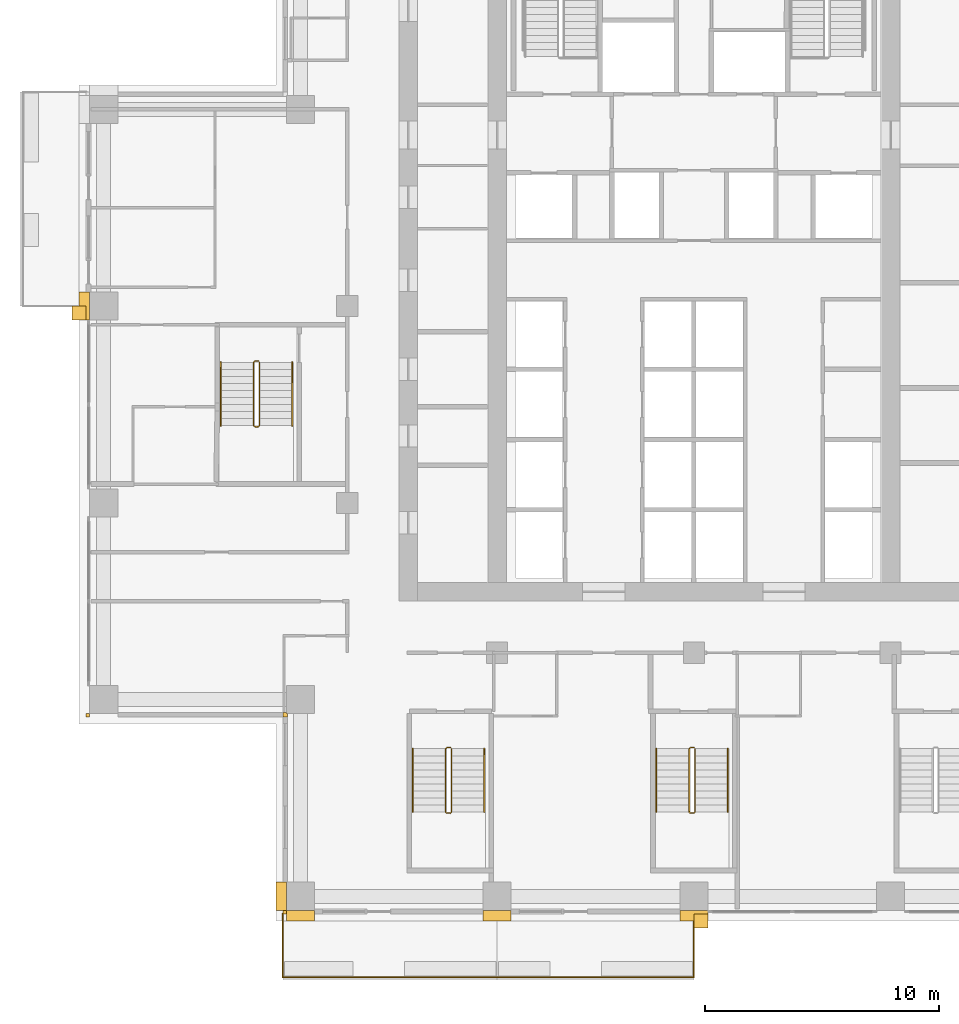
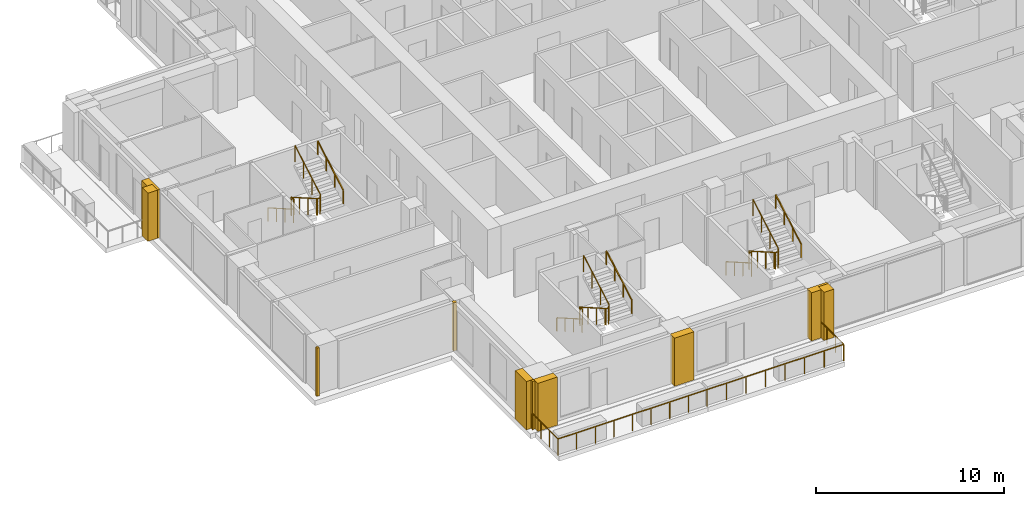
# One storey, part 13 of 16: 11 railings, 10 coverings.
"""IFC4 building model written with IfcOpenShell, lengths in metres."""

from ifc_helpers import new_model, si_unit, direction, frame, origin, origin_2d, place, context, subcontext, project, spatial, polyline, rectangle, outline, extrude, material, type_object, element, save


model = new_model("IFC4")

# Units and contexts
model_context = context("Model", 3, precision=1e-05, world=origin(), true_north=direction((0.0, 1.0)))
body_context = subcontext(model_context, "Body", "Model", "MODEL_VIEW")
ifc_project = project(units=[si_unit("LENGTHUNIT", "METRE"), si_unit("AREAUNIT", "SQUARE_METRE"), si_unit("VOLUMEUNIT", "CUBIC_METRE"), si_unit("PLANEANGLEUNIT", "RADIAN"), si_unit("MASSUNIT", "GRAM", prefix="KILO")], contexts=[model_context])

# Site, building, storey
site_placement = place(None, origin())
site = spatial("IfcSite", under=ifc_project, at=site_placement, CompositionType="ELEMENT")
building_placement = place(site_placement, origin())
building = spatial("IfcBuilding", under=site, at=building_placement, Name="Vermilion Ogive Tower", CompositionType="ELEMENT")
storey_placement = place(building_placement, frame((0.0, 0.0, 114.89990234375)))
storey = spatial("IfcBuildingStorey", under=building, at=storey_placement, Name="L29", CompositionType="ELEMENT", Elevation=114.89990234375)

# Railings
ifc_material_1 = material(Name="Stainless steel and glass", Category="steel")
railing_type_1 = type_object("IfcRailingType", Name="Balcony guard", PredefinedType="GUARDRAIL", material=ifc_material_1)
railing_1_placement = place(storey_placement, frame((-17.550048828125, -21.75, -0.039794921875)))
element("IfcRailing", 1, at=railing_1_placement, inside=storey, type_object=railing_type_1, Name="Guard S01", PredefinedType="GUARDRAIL", context=body_context, shape_type="SweptSolid", body=[
    extrude(rectangle(XDim=0.048095703125, YDim=0.048095703125, at=origin_2d()), frame((0.0, 0.0, 1.076171875), z_axis=(0.0, -1.0, 0.0), x_axis=(1.0, 0.0, 0.0)), (0.0, 0.0, 1.0), 2.7041015625),
    extrude(rectangle(XDim=0.048095703125, YDim=0.048095703125, at=origin_2d()), frame((0.0, -2.7041015625, 1.076171875), z_axis=(1.0, 0.0, 0.0), x_axis=(0.0, 1.0, 0.0)), (0.0, 0.0, 1.0), 9.150146484375),
    extrude(rectangle(XDim=0.0419921875, YDim=0.0419921875, at=origin_2d()), origin(), (0.0, 0.0, 1.0), 1.052001953125),
    extrude(rectangle(XDim=0.0419921875, YDim=0.0419921875, at=origin_2d()), frame((0.0, -0.9013671875, 0.0)), (0.0, 0.0, 1.0), 1.052001953125),
    extrude(rectangle(XDim=0.0419921875, YDim=0.0419921875, at=origin_2d()), frame((0.0, -1.802734375, 0.0)), (0.0, 0.0, 1.0), 1.052001953125),
    extrude(rectangle(XDim=0.0419921875, YDim=0.0419921875, at=origin_2d()), frame((0.0, -2.7041015625, 0.0)), (0.0, 0.0, 1.0), 1.052001953125),
    extrude(rectangle(XDim=0.0419921875, YDim=0.0419921875, at=origin_2d()), frame((1.143798828125, -2.7041015625, 0.0)), (0.0, 0.0, 1.0), 1.052001953125),
    extrude(rectangle(XDim=0.0419921875, YDim=0.0419921875, at=origin_2d()), frame((2.28759765625, -2.7041015625, 0.0)), (0.0, 0.0, 1.0), 1.052001953125),
    extrude(rectangle(XDim=0.0419921875, YDim=0.0419921875, at=origin_2d()), frame((3.431396484375, -2.7041015625, 0.0)), (0.0, 0.0, 1.0), 1.052001953125),
    extrude(rectangle(XDim=0.0419921875, YDim=0.0419921875, at=origin_2d()), frame((4.5751953125, -2.7041015625, 0.0)), (0.0, 0.0, 1.0), 1.052001953125),
    extrude(rectangle(XDim=0.0419921875, YDim=0.0419921875, at=origin_2d()), frame((5.71875, -2.7041015625, 0.0)), (0.0, 0.0, 1.0), 1.052001953125),
    extrude(rectangle(XDim=0.0419921875, YDim=0.0419921875, at=origin_2d()), frame((6.862548828125, -2.7041015625, 0.0)), (0.0, 0.0, 1.0), 1.052001953125),
    extrude(rectangle(XDim=0.0419921875, YDim=0.0419921875, at=origin_2d()), frame((8.00634765625, -2.7041015625, 0.0)), (0.0, 0.0, 1.0), 1.052001953125),
    extrude(rectangle(XDim=0.0419921875, YDim=0.0419921875, at=origin_2d()), frame((9.150146484375, -2.7041015625, 0.0)), (0.0, 0.0, 1.0), 1.052001953125),
])
railing_2_placement = place(storey_placement, frame((-8.39990234375, -24.4541015625, -0.039794921875)))
element("IfcRailing", 2, at=railing_2_placement, inside=storey, type_object=railing_type_1, Name="Guard S02", PredefinedType="GUARDRAIL", context=body_context, shape_type="SweptSolid", body=[
    extrude(rectangle(XDim=0.048095703125, YDim=0.048095703125, at=origin_2d()), frame((0.0, 0.0, 1.076171875), z_axis=(1.0, 0.0, 0.0), x_axis=(0.0, 1.0, 0.0)), (0.0, 0.0, 1.0), 8.39990234375),
    extrude(rectangle(XDim=0.048095703125, YDim=0.048095703125, at=origin_2d()), frame((8.39990234375, 0.0, 1.076171875), z_axis=(0.0, 1.0, 0.0), x_axis=(-1.0, 0.0, 0.0)), (0.0, 0.0, 1.0), 2.7041015625),
    extrude(rectangle(XDim=0.0419921875, YDim=0.0419921875, at=origin_2d()), origin(), (0.0, 0.0, 1.0), 1.052001953125),
    extrude(rectangle(XDim=0.0419921875, YDim=0.0419921875, at=origin_2d()), frame((1.199951171875, 0.0, 0.0)), (0.0, 0.0, 1.0), 1.052001953125),
    extrude(rectangle(XDim=0.0419921875, YDim=0.0419921875, at=origin_2d()), frame((2.39990234375, 0.0, 0.0)), (0.0, 0.0, 1.0), 1.052001953125),
    extrude(rectangle(XDim=0.0419921875, YDim=0.0419921875, at=origin_2d()), frame((3.599853515625, 0.0, 0.0)), (0.0, 0.0, 1.0), 1.052001953125),
    extrude(rectangle(XDim=0.0419921875, YDim=0.0419921875, at=origin_2d()), frame((4.800048828125, 0.0, 0.0)), (0.0, 0.0, 1.0), 1.052001953125),
    extrude(rectangle(XDim=0.0419921875, YDim=0.0419921875, at=origin_2d()), frame((6.0, 0.0, 0.0)), (0.0, 0.0, 1.0), 1.052001953125),
    extrude(rectangle(XDim=0.0419921875, YDim=0.0419921875, at=origin_2d()), frame((7.199951171875, 0.0, 0.0)), (0.0, 0.0, 1.0), 1.052001953125),
    extrude(rectangle(XDim=0.0419921875, YDim=0.0419921875, at=origin_2d()), frame((8.39990234375, 0.0, 0.0)), (0.0, 0.0, 1.0), 1.052001953125),
    extrude(rectangle(XDim=0.0419921875, YDim=0.0419921875, at=origin_2d()), frame((8.39990234375, 0.9013671875, 0.0)), (0.0, 0.0, 1.0), 1.052001953125),
    extrude(rectangle(XDim=0.0419921875, YDim=0.0419921875, at=origin_2d()), frame((8.39990234375, 1.802734375, 0.0)), (0.0, 0.0, 1.0), 1.052001953125),
    extrude(rectangle(XDim=0.0419921875, YDim=0.0419921875, at=origin_2d()), frame((8.39990234375, 2.7041015625, 0.0)), (0.0, 0.0, 1.0), 1.052001953125),
])
ifc_material_2 = material(Name="Steel S355 painted", Category="steel")
railing_type_2 = type_object("IfcRailingType", Name="Stair guard 1100", PredefinedType="GUARDRAIL", material=ifc_material_2)
railing_3_placement = place(storey_placement, frame((-10.39990234375, -14.64990234375, 0.0)))
element("IfcRailing", 3, at=railing_3_placement, inside=storey, type_object=railing_type_2, Name="L29 ST3 stair guard 4", PredefinedType="GUARDRAIL", context=body_context, shape_type="SweptSolid", body=[
    extrude(rectangle(XDim=0.048095703125, YDim=0.048095703125, at=origin_2d()), frame((0.0, 0.0, 1.076171875), z_axis=(-1.0, 0.0, 0.0), x_axis=(0.0, -1.0, 0.0)), (0.0, 0.0, 1.0), 0.150146484375),
    extrude(rectangle(XDim=0.048095703125, YDim=0.048095703125, at=origin_2d()), frame((-0.150146484375, 0.0, 1.076171875), z_axis=(-0.268277960024, -0.268277960024, 0.925231793839), x_axis=(0.707106781187, -0.707106781187, 0.0)), (0.0, 0.0, 1.0), 0.1865234375),
    extrude(rectangle(XDim=0.048095703125, YDim=0.048095703125, at=origin_2d()), frame((-0.2001953125, -0.050048828125, 1.24853515625), z_axis=(0.0, -0.866903762492, 0.498475542607), x_axis=(1.0, 0.0, 0.0)), (0.0, 0.0, 1.0), 3.114501953125),
    extrude(rectangle(XDim=0.048095703125, YDim=0.048095703125, at=origin_2d()), frame((-0.2001953125, -2.75, 2.80126953125), z_axis=(0.707106781187, -0.707106781187, 0.0), x_axis=(0.707106781187, 0.707106781187, 0.0)), (0.0, 0.0, 1.0), 0.07080078125),
    extrude(rectangle(XDim=0.048095703125, YDim=0.048095703125, at=origin_2d()), frame((-0.150146484375, -2.800048828125, 2.80126953125), z_axis=(1.0, 0.0, 0.0), x_axis=(0.0, 1.0, 0.0)), (0.0, 0.0, 1.0), 0.150146484375),
    extrude(rectangle(XDim=0.048095703125, YDim=0.048095703125, at=origin_2d()), frame((0.0, -2.800048828125, 2.80126953125), z_axis=(0.267062837333, 0.268371968888, 0.925556009775), x_axis=(-0.708833529934, 0.705375805398, 0.0)), (0.0, 0.0, 1.0), 0.1865234375),
    extrude(rectangle(XDim=0.048095703125, YDim=0.048095703125, at=origin_2d()), frame((0.0498046875, -2.75, 2.9736328125), z_axis=(0.0, 0.866903762492, 0.498475542607), x_axis=(-1.0, 0.0, 0.0)), (0.0, 0.0, 1.0), 3.114501953125),
    extrude(rectangle(XDim=0.0419921875, YDim=0.0419921875, at=origin_2d()), origin(), (0.0, 0.0, 1.0), 1.052001953125),
    extrude(rectangle(XDim=0.0419921875, YDim=0.0419921875, at=origin_2d()), frame((-0.150146484375, 0.0, 0.0)), (0.0, 0.0, 1.0), 1.052001953125),
    extrude(rectangle(XDim=0.0419921875, YDim=0.0419921875, at=origin_2d()), frame((-0.2001953125, -0.050048828125, 0.172607421875)), (0.0, 0.0, 1.0), 1.052001953125),
    extrude(rectangle(XDim=0.0419921875, YDim=0.0419921875, at=origin_2d()), frame((-0.2001953125, -0.949951171875, 0.690185546875)), (0.0, 0.0, 1.0), 1.052001953125),
    extrude(rectangle(XDim=0.0419921875, YDim=0.0419921875, at=origin_2d()), frame((-0.2001953125, -1.85009765625, 1.20751953125)), (0.0, 0.0, 1.0), 1.052001953125),
    extrude(rectangle(XDim=0.0419921875, YDim=0.0419921875, at=origin_2d()), frame((-0.2001953125, -2.75, 1.72509765625)), (0.0, 0.0, 1.0), 1.052001953125),
    extrude(rectangle(XDim=0.0419921875, YDim=0.0419921875, at=origin_2d()), frame((-0.150146484375, -2.800048828125, 1.72509765625)), (0.0, 0.0, 1.0), 1.052001953125),
    extrude(rectangle(XDim=0.0419921875, YDim=0.0419921875, at=origin_2d()), frame((0.0, -2.800048828125, 1.72509765625)), (0.0, 0.0, 1.0), 1.052001953125),
    extrude(rectangle(XDim=0.0419921875, YDim=0.0419921875, at=origin_2d()), frame((0.0498046875, -2.75, 1.897705078125)), (0.0, 0.0, 1.0), 1.052001953125),
    extrude(rectangle(XDim=0.0419921875, YDim=0.0419921875, at=origin_2d()), frame((0.0498046875, -1.85009765625, 2.415283203125)), (0.0, 0.0, 1.0), 1.052001953125),
    extrude(rectangle(XDim=0.0419921875, YDim=0.0419921875, at=origin_2d()), frame((0.0498046875, -0.949951171875, 2.9326171875)), (0.0, 0.0, 1.0), 1.052001953125),
    extrude(rectangle(XDim=0.0419921875, YDim=0.0419921875, at=origin_2d()), frame((0.0498046875, -0.050048828125, 3.4501953125)), (0.0, 0.0, 1.0), 1.052001953125),
])
railing_4_placement = place(storey_placement, frame((0.0, -14.64990234375, 0.0)))
element("IfcRailing", 4, at=railing_4_placement, inside=storey, type_object=railing_type_2, Name="L29 ST4 stair guard 4", PredefinedType="GUARDRAIL", context=body_context, shape_type="SweptSolid", body=[
    extrude(rectangle(XDim=0.048095703125, YDim=0.048095703125, at=origin_2d()), frame((0.0, 0.0, 1.076171875), z_axis=(-1.0, 0.0, 0.0), x_axis=(0.0, -1.0, 0.0)), (0.0, 0.0, 1.0), 0.14990234375),
    extrude(rectangle(XDim=0.048095703125, YDim=0.048095703125, at=origin_2d()), frame((-0.14990234375, 0.0, 1.076171875), z_axis=(-0.268277960024, -0.268277960024, 0.925231793839), x_axis=(0.707106781187, -0.707106781187, 0.0)), (0.0, 0.0, 1.0), 0.1865234375),
    extrude(rectangle(XDim=0.048095703125, YDim=0.048095703125, at=origin_2d()), frame((-0.199951171875, -0.050048828125, 1.24853515625), z_axis=(0.0, -0.866903762492, 0.498475542607), x_axis=(1.0, 0.0, 0.0)), (0.0, 0.0, 1.0), 3.114501953125),
    extrude(rectangle(XDim=0.048095703125, YDim=0.048095703125, at=origin_2d()), frame((-0.199951171875, -2.75, 2.80126953125), z_axis=(0.707106781187, -0.707106781187, 0.0), x_axis=(0.707106781187, 0.707106781187, 0.0)), (0.0, 0.0, 1.0), 0.07080078125),
    extrude(rectangle(XDim=0.048095703125, YDim=0.048095703125, at=origin_2d()), frame((-0.14990234375, -2.800048828125, 2.80126953125), z_axis=(1.0, 0.0, 0.0), x_axis=(0.0, 1.0, 0.0)), (0.0, 0.0, 1.0), 0.14990234375),
    extrude(rectangle(XDim=0.048095703125, YDim=0.048095703125, at=origin_2d()), frame((0.0, -2.800048828125, 2.80126953125), z_axis=(0.268277960024, 0.268277960024, 0.925231793839), x_axis=(-0.707106781187, 0.707106781187, 0.0)), (0.0, 0.0, 1.0), 0.1865234375),
    extrude(rectangle(XDim=0.048095703125, YDim=0.048095703125, at=origin_2d()), frame((0.050048828125, -2.75, 2.9736328125), z_axis=(0.0, 0.866903762492, 0.498475542607), x_axis=(-1.0, 0.0, 0.0)), (0.0, 0.0, 1.0), 3.114501953125),
    extrude(rectangle(XDim=0.0419921875, YDim=0.0419921875, at=origin_2d()), origin(), (0.0, 0.0, 1.0), 1.052001953125),
    extrude(rectangle(XDim=0.0419921875, YDim=0.0419921875, at=origin_2d()), frame((-0.14990234375, 0.0, 0.0)), (0.0, 0.0, 1.0), 1.052001953125),
    extrude(rectangle(XDim=0.0419921875, YDim=0.0419921875, at=origin_2d()), frame((-0.199951171875, -0.050048828125, 0.172607421875)), (0.0, 0.0, 1.0), 1.052001953125),
    extrude(rectangle(XDim=0.0419921875, YDim=0.0419921875, at=origin_2d()), frame((-0.199951171875, -0.949951171875, 0.690185546875)), (0.0, 0.0, 1.0), 1.052001953125),
    extrude(rectangle(XDim=0.0419921875, YDim=0.0419921875, at=origin_2d()), frame((-0.199951171875, -1.85009765625, 1.20751953125)), (0.0, 0.0, 1.0), 1.052001953125),
    extrude(rectangle(XDim=0.0419921875, YDim=0.0419921875, at=origin_2d()), frame((-0.199951171875, -2.75, 1.72509765625)), (0.0, 0.0, 1.0), 1.052001953125),
    extrude(rectangle(XDim=0.0419921875, YDim=0.0419921875, at=origin_2d()), frame((-0.14990234375, -2.800048828125, 1.72509765625)), (0.0, 0.0, 1.0), 1.052001953125),
    extrude(rectangle(XDim=0.0419921875, YDim=0.0419921875, at=origin_2d()), frame((0.0, -2.800048828125, 1.72509765625)), (0.0, 0.0, 1.0), 1.052001953125),
    extrude(rectangle(XDim=0.0419921875, YDim=0.0419921875, at=origin_2d()), frame((0.050048828125, -2.75, 1.897705078125)), (0.0, 0.0, 1.0), 1.052001953125),
    extrude(rectangle(XDim=0.0419921875, YDim=0.0419921875, at=origin_2d()), frame((0.050048828125, -1.85009765625, 2.415283203125)), (0.0, 0.0, 1.0), 1.052001953125),
    extrude(rectangle(XDim=0.0419921875, YDim=0.0419921875, at=origin_2d()), frame((0.050048828125, -0.949951171875, 2.9326171875)), (0.0, 0.0, 1.0), 1.052001953125),
    extrude(rectangle(XDim=0.0419921875, YDim=0.0419921875, at=origin_2d()), frame((0.050048828125, -0.050048828125, 3.4501953125)), (0.0, 0.0, 1.0), 1.052001953125),
])
railing_5_placement = place(storey_placement, frame((-18.60009765625, 1.85009765625, 0.0)))
element("IfcRailing", 5, at=railing_5_placement, inside=storey, type_object=railing_type_2, Name="L29 ST9 stair guard 4", PredefinedType="GUARDRAIL", context=body_context, shape_type="SweptSolid", body=[
    extrude(rectangle(XDim=0.048095703125, YDim=0.048095703125, at=origin_2d()), frame((0.0, 0.0, 1.076171875), z_axis=(-1.0, 0.0, 0.0), x_axis=(0.0, -1.0, 0.0)), (0.0, 0.0, 1.0), 0.14990234375),
    extrude(rectangle(XDim=0.048095703125, YDim=0.048095703125, at=origin_2d()), frame((-0.14990234375, 0.0, 1.076171875), z_axis=(-0.268277960024, -0.268277960024, 0.925231793839), x_axis=(0.707106781187, -0.707106781187, 0.0)), (0.0, 0.0, 1.0), 0.1865234375),
    extrude(rectangle(XDim=0.048095703125, YDim=0.048095703125, at=origin_2d()), frame((-0.199951171875, -0.050048828125, 1.24853515625), z_axis=(0.0, -0.866903762492, 0.498475542607), x_axis=(1.0, 0.0, 0.0)), (0.0, 0.0, 1.0), 3.114501953125),
    extrude(rectangle(XDim=0.048095703125, YDim=0.048095703125, at=origin_2d()), frame((-0.199951171875, -2.75, 2.80126953125), z_axis=(0.707106781187, -0.707106781187, 0.0), x_axis=(0.707106781187, 0.707106781187, 0.0)), (0.0, 0.0, 1.0), 0.07080078125),
    extrude(rectangle(XDim=0.048095703125, YDim=0.048095703125, at=origin_2d()), frame((-0.14990234375, -2.800048828125, 2.80126953125), z_axis=(1.0, 0.0, 0.0), x_axis=(0.0, 1.0, 0.0)), (0.0, 0.0, 1.0), 0.14990234375),
    extrude(rectangle(XDim=0.048095703125, YDim=0.048095703125, at=origin_2d()), frame((0.0, -2.800048828125, 2.80126953125), z_axis=(0.268277960024, 0.268277960024, 0.925231793839), x_axis=(-0.707106781187, 0.707106781187, 0.0)), (0.0, 0.0, 1.0), 0.1865234375),
    extrude(rectangle(XDim=0.048095703125, YDim=0.048095703125, at=origin_2d()), frame((0.050048828125, -2.75, 2.9736328125), z_axis=(0.0, 0.866903762492, 0.498475542607), x_axis=(-1.0, 0.0, 0.0)), (0.0, 0.0, 1.0), 3.114501953125),
    extrude(rectangle(XDim=0.0419921875, YDim=0.0419921875, at=origin_2d()), origin(), (0.0, 0.0, 1.0), 1.052001953125),
    extrude(rectangle(XDim=0.0419921875, YDim=0.0419921875, at=origin_2d()), frame((-0.14990234375, 0.0, 0.0)), (0.0, 0.0, 1.0), 1.052001953125),
    extrude(rectangle(XDim=0.0419921875, YDim=0.0419921875, at=origin_2d()), frame((-0.199951171875, -0.050048828125, 0.172607421875)), (0.0, 0.0, 1.0), 1.052001953125),
    extrude(rectangle(XDim=0.0419921875, YDim=0.0419921875, at=origin_2d()), frame((-0.199951171875, -0.949951171875, 0.690185546875)), (0.0, 0.0, 1.0), 1.052001953125),
    extrude(rectangle(XDim=0.0419921875, YDim=0.0419921875, at=origin_2d()), frame((-0.199951171875, -1.85009765625, 1.20751953125)), (0.0, 0.0, 1.0), 1.052001953125),
    extrude(rectangle(XDim=0.0419921875, YDim=0.0419921875, at=origin_2d()), frame((-0.199951171875, -2.75, 1.72509765625)), (0.0, 0.0, 1.0), 1.052001953125),
    extrude(rectangle(XDim=0.0419921875, YDim=0.0419921875, at=origin_2d()), frame((-0.14990234375, -2.800048828125, 1.72509765625)), (0.0, 0.0, 1.0), 1.052001953125),
    extrude(rectangle(XDim=0.0419921875, YDim=0.0419921875, at=origin_2d()), frame((0.0, -2.800048828125, 1.72509765625)), (0.0, 0.0, 1.0), 1.052001953125),
    extrude(rectangle(XDim=0.0419921875, YDim=0.0419921875, at=origin_2d()), frame((0.050048828125, -2.75, 1.897705078125)), (0.0, 0.0, 1.0), 1.052001953125),
    extrude(rectangle(XDim=0.0419921875, YDim=0.0419921875, at=origin_2d()), frame((0.050048828125, -1.85009765625, 2.415283203125)), (0.0, 0.0, 1.0), 1.052001953125),
    extrude(rectangle(XDim=0.0419921875, YDim=0.0419921875, at=origin_2d()), frame((0.050048828125, -0.949951171875, 2.9326171875)), (0.0, 0.0, 1.0), 1.052001953125),
    extrude(rectangle(XDim=0.0419921875, YDim=0.0419921875, at=origin_2d()), frame((0.050048828125, -0.050048828125, 3.4501953125)), (0.0, 0.0, 1.0), 1.052001953125),
])
ifc_material_3 = material(Name="Stainless steel", Category="steel")
railing_type_3 = type_object("IfcRailingType", Name="Stair handrail 900", PredefinedType="HANDRAIL", material=ifc_material_3)
railing_6_placement = place(storey_placement, frame((-12.0, -14.699951171875, 0.172607421875)))
element("IfcRailing", 6, at=railing_6_placement, inside=storey, type_object=railing_type_3, Name="L29 ST3 stair handrail 1", PredefinedType="HANDRAIL", context=body_context, shape_type="SweptSolid", body=[
    extrude(rectangle(XDim=0.048095703125, YDim=0.048095703125, at=origin_2d()), frame((0.0, 0.0, 0.8759765625), z_axis=(0.0, -0.866903762492, 0.498475542607), x_axis=(1.0, 0.0, 0.0)), (0.0, 0.0, 1.0), 3.114501953125),
    extrude(rectangle(XDim=0.0419921875, YDim=0.0419921875, at=origin_2d()), origin(), (0.0, 0.0, 1.0), 0.851806640625),
    extrude(rectangle(XDim=0.0419921875, YDim=0.0419921875, at=origin_2d()), frame((0.0, -0.89990234375, 0.517578125)), (0.0, 0.0, 1.0), 0.851806640625),
    extrude(rectangle(XDim=0.0419921875, YDim=0.0419921875, at=origin_2d()), frame((0.0, -1.800048828125, 1.034912109375)), (0.0, 0.0, 1.0), 0.851806640625),
    extrude(rectangle(XDim=0.0419921875, YDim=0.0419921875, at=origin_2d()), frame((0.0, -2.699951171875, 1.552490234375)), (0.0, 0.0, 1.0), 0.851806640625),
])
railing_7_placement = place(storey_placement, frame((-8.949951171875, -17.39990234375, 1.897705078125)))
element("IfcRailing", 7, at=railing_7_placement, inside=storey, type_object=railing_type_3, Name="L29 ST3 stair handrail 2", PredefinedType="HANDRAIL", context=body_context, shape_type="SweptSolid", body=[
    extrude(rectangle(XDim=0.048095703125, YDim=0.048095703125, at=origin_2d()), frame((0.0, 0.0, 0.8759765625), z_axis=(0.0, 0.866903762492, 0.498475542607), x_axis=(-1.0, 0.0, 0.0)), (0.0, 0.0, 1.0), 3.114501953125),
    extrude(rectangle(XDim=0.0419921875, YDim=0.0419921875, at=origin_2d()), origin(), (0.0, 0.0, 1.0), 0.851806640625),
    extrude(rectangle(XDim=0.0419921875, YDim=0.0419921875, at=origin_2d()), frame((0.0, 0.89990234375, 0.517578125)), (0.0, 0.0, 1.0), 0.851806640625),
    extrude(rectangle(XDim=0.0419921875, YDim=0.0419921875, at=origin_2d()), frame((0.0, 1.800048828125, 1.034912109375)), (0.0, 0.0, 1.0), 0.851806640625),
    extrude(rectangle(XDim=0.0419921875, YDim=0.0419921875, at=origin_2d()), frame((0.0, 2.699951171875, 1.552490234375)), (0.0, 0.0, 1.0), 0.851806640625),
])
railing_8_placement = place(storey_placement, frame((-1.60009765625, -14.699951171875, 0.172607421875)))
element("IfcRailing", 8, at=railing_8_placement, inside=storey, type_object=railing_type_3, Name="L29 ST4 stair handrail 1", PredefinedType="HANDRAIL", context=body_context, shape_type="SweptSolid", body=[
    extrude(rectangle(XDim=0.048095703125, YDim=0.048095703125, at=origin_2d()), frame((0.0, 0.0, 0.8759765625), z_axis=(0.0, -0.866903762492, 0.498475542607), x_axis=(1.0, 0.0, 0.0)), (0.0, 0.0, 1.0), 3.114501953125),
    extrude(rectangle(XDim=0.0419921875, YDim=0.0419921875, at=origin_2d()), origin(), (0.0, 0.0, 1.0), 0.851806640625),
    extrude(rectangle(XDim=0.0419921875, YDim=0.0419921875, at=origin_2d()), frame((0.0, -0.89990234375, 0.517578125)), (0.0, 0.0, 1.0), 0.851806640625),
    extrude(rectangle(XDim=0.0419921875, YDim=0.0419921875, at=origin_2d()), frame((0.0, -1.800048828125, 1.034912109375)), (0.0, 0.0, 1.0), 0.851806640625),
    extrude(rectangle(XDim=0.0419921875, YDim=0.0419921875, at=origin_2d()), frame((0.0, -2.699951171875, 1.552490234375)), (0.0, 0.0, 1.0), 0.851806640625),
])
railing_9_placement = place(storey_placement, frame((1.449951171875, -17.39990234375, 1.897705078125)))
element("IfcRailing", 9, at=railing_9_placement, inside=storey, type_object=railing_type_3, Name="L29 ST4 stair handrail 2", PredefinedType="HANDRAIL", context=body_context, shape_type="SweptSolid", body=[
    extrude(rectangle(XDim=0.048095703125, YDim=0.048095703125, at=origin_2d()), frame((0.0, 0.0, 0.8759765625), z_axis=(0.0, 0.866903762492, 0.498475542607), x_axis=(-1.0, 0.0, 0.0)), (0.0, 0.0, 1.0), 3.114501953125),
    extrude(rectangle(XDim=0.0419921875, YDim=0.0419921875, at=origin_2d()), origin(), (0.0, 0.0, 1.0), 0.851806640625),
    extrude(rectangle(XDim=0.0419921875, YDim=0.0419921875, at=origin_2d()), frame((0.0, 0.89990234375, 0.517578125)), (0.0, 0.0, 1.0), 0.851806640625),
    extrude(rectangle(XDim=0.0419921875, YDim=0.0419921875, at=origin_2d()), frame((0.0, 1.800048828125, 1.034912109375)), (0.0, 0.0, 1.0), 0.851806640625),
    extrude(rectangle(XDim=0.0419921875, YDim=0.0419921875, at=origin_2d()), frame((0.0, 2.699951171875, 1.552490234375)), (0.0, 0.0, 1.0), 0.851806640625),
])
railing_10_placement = place(storey_placement, frame((-20.199951171875, 1.800048828125, 0.172607421875)))
element("IfcRailing", 10, at=railing_10_placement, inside=storey, type_object=railing_type_3, Name="L29 ST9 stair handrail 1", PredefinedType="HANDRAIL", context=body_context, shape_type="SweptSolid", body=[
    extrude(rectangle(XDim=0.048095703125, YDim=0.048095703125, at=origin_2d()), frame((0.0, 0.0, 0.8759765625), z_axis=(0.0, -0.866903762492, 0.498475542607), x_axis=(1.0, 0.0, 0.0)), (0.0, 0.0, 1.0), 3.114501953125),
    extrude(rectangle(XDim=0.0419921875, YDim=0.0419921875, at=origin_2d()), origin(), (0.0, 0.0, 1.0), 0.851806640625),
    extrude(rectangle(XDim=0.0419921875, YDim=0.0419921875, at=origin_2d()), frame((0.0, -0.89990234375, 0.517578125)), (0.0, 0.0, 1.0), 0.851806640625),
    extrude(rectangle(XDim=0.0419921875, YDim=0.0419921875, at=origin_2d()), frame((0.0, -1.800048828125, 1.034912109375)), (0.0, 0.0, 1.0), 0.851806640625),
    extrude(rectangle(XDim=0.0419921875, YDim=0.0419921875, at=origin_2d()), frame((0.0, -2.699951171875, 1.552490234375)), (0.0, 0.0, 1.0), 0.851806640625),
])
railing_11_placement = place(storey_placement, frame((-17.14990234375, -0.89990234375, 1.897705078125)))
element("IfcRailing", 11, at=railing_11_placement, inside=storey, type_object=railing_type_3, Name="L29 ST9 stair handrail 2", PredefinedType="HANDRAIL", context=body_context, shape_type="SweptSolid", body=[
    extrude(rectangle(XDim=0.048095703125, YDim=0.048095703125, at=origin_2d()), frame((0.0, 0.0, 0.8759765625), z_axis=(0.0, 0.866903762492, 0.498475542607), x_axis=(-1.0, 0.0, 0.0)), (0.0, 0.0, 1.0), 3.114501953125),
    extrude(rectangle(XDim=0.0419921875, YDim=0.0419921875, at=origin_2d()), origin(), (0.0, 0.0, 1.0), 0.851806640625),
    extrude(rectangle(XDim=0.0419921875, YDim=0.0419921875, at=origin_2d()), frame((0.0, 0.89990234375, 0.517578125)), (0.0, 0.0, 1.0), 0.851806640625),
    extrude(rectangle(XDim=0.0419921875, YDim=0.0419921875, at=origin_2d()), frame((0.0, 1.800048828125, 1.034912109375)), (0.0, 0.0, 1.0), 0.851806640625),
    extrude(rectangle(XDim=0.0419921875, YDim=0.0419921875, at=origin_2d()), frame((0.0, 2.699951171875, 1.552490234375)), (0.0, 0.0, 1.0), 0.851806640625),
])

# Coverings
ifc_material_4 = material(Name="Stone cladding", Category="masonry")
covering_type_1 = type_object("IfcCoveringType", Name="Stone corner buttress", PredefinedType="CLADDING", material=ifc_material_4)
covering_1_placement = place(storey_placement, origin())
element("IfcCovering", 12, at=covering_1_placement, inside=storey, type_object=covering_type_1, Name="Stone crease pier SK", PredefinedType="CLADDING", context=body_context, shape_type="SweptSolid", body=[
    extrude(outline(polyline([(0.0, -22.35009765625), (0.60009765625, -22.35009765625), (0.60009765625, -21.75), (0.0, -21.75), (0.0, -22.35009765625)])), origin(), (0.0, 0.0, 1.0), 3.130126953125),
])
covering_2_placement = place(storey_placement, origin())
element("IfcCovering", 13, at=covering_2_placement, inside=storey, type_object=covering_type_1, Name="Stone crease pier WK", PredefinedType="CLADDING", context=body_context, shape_type="SweptSolid", body=[
    extrude(outline(polyline([(-26.550048828125, 4.199951171875), (-26.550048828125, 3.60009765625), (-25.949951171875, 3.60009765625), (-25.949951171875, 4.199951171875), (-26.550048828125, 4.199951171875)])), origin(), (0.0, 0.0, 1.0), 3.130126953125),
])
ifc_material_5 = material(Name="Stone cladding", Category="masonry")
covering_type_2 = type_object("IfcCoveringType", Name="Stone pier", PredefinedType="CLADDING", material=ifc_material_5)
covering_3_placement = place(storey_placement, origin())
element("IfcCovering", 14, at=covering_3_placement, inside=storey, type_object=covering_type_2, Name="Stone corner pier WE1", PredefinedType="CLADDING", context=body_context, shape_type="SweptSolid", body=[
    extrude(outline(polyline([(-25.949951171875, -13.199951171875), (-25.800048828125, -13.199951171875), (-25.800048828125, -13.35009765625), (-25.949951171875, -13.35009765625), (-25.949951171875, -13.199951171875)])), origin(), (0.0, 0.0, 1.0), 3.130126953125),
])
covering_4_placement = place(storey_placement, origin())
element("IfcCovering", 15, at=covering_4_placement, inside=storey, type_object=covering_type_2, Name="Stone corner pier X7E1", PredefinedType="CLADDING", context=body_context, shape_type="SweptSolid", body=[
    extrude(outline(polyline([(-17.39990234375, -13.14990234375), (-17.39990234375, -13.199951171875), (-17.35009765625, -13.199951171875), (-17.35009765625, -13.35009765625), (-17.550048828125, -13.35009765625), (-17.550048828125, -13.14990234375), (-17.39990234375, -13.14990234375)])), origin(), (0.0, 0.0, 1.0), 3.130126953125),
])
covering_5_placement = place(storey_placement, origin())
element("IfcCovering", 16, at=covering_5_placement, inside=storey, type_object=covering_type_2, Name="Stone corner pier X8E1", PredefinedType="CLADDING", context=body_context, shape_type="SweptSolid", body=[
    extrude(outline(polyline([(-17.550048828125, -21.60009765625), (-17.39990234375, -21.60009765625), (-17.39990234375, -21.60009765625), (-17.39990234375, -21.75), (-17.550048828125, -21.75), (-17.550048828125, -21.60009765625)])), origin(), (0.0, 0.0, 1.0), 3.130126953125),
])
covering_6_placement = place(storey_placement, origin())
element("IfcCovering", 17, at=covering_6_placement, inside=storey, type_object=covering_type_2, Name="Stone pier P+0000-210", PredefinedType="CLADDING", context=body_context, shape_type="SweptSolid", body=[
    extrude(outline(polyline([(0.60009765625, -21.60009765625), (0.60009765625, -21.60009765625), (0.60009765625, -22.050048828125), (0.60009765625, -22.050048828125), (0.60009765625, -21.75), (0.0, -21.75), (0.0, -22.050048828125), (-0.60009765625, -22.050048828125), (-0.60009765625, -21.60009765625), (-0.60009765625, -21.60009765625), (0.60009765625, -21.60009765625)])), origin(), (0.0, 0.0, 1.0), 3.130126953125),
])
covering_7_placement = place(storey_placement, origin())
element("IfcCovering", 18, at=covering_7_placement, inside=storey, type_object=covering_type_2, Name="Stone pier P-0084-210", PredefinedType="CLADDING", context=body_context, shape_type="SweptSolid", body=[
    extrude(outline(polyline([(-7.800048828125, -22.050048828125), (-9.0, -22.050048828125), (-9.0, -21.60009765625), (-7.800048828125, -21.60009765625), (-7.800048828125, -22.050048828125)])), origin(), (0.0, 0.0, 1.0), 3.130126953125),
])
covering_8_placement = place(storey_placement, origin())
element("IfcCovering", 19, at=covering_8_placement, inside=storey, type_object=covering_type_2, Name="Stone pier P-0168-210S", PredefinedType="CLADDING", context=body_context, shape_type="SweptSolid", body=[
    extrude(outline(polyline([(-16.199951171875, -22.050048828125), (-17.39990234375, -22.050048828125), (-17.39990234375, -21.60009765625), (-16.199951171875, -21.60009765625), (-16.199951171875, -22.050048828125)])), origin(), (0.0, 0.0, 1.0), 3.130126953125),
])
covering_9_placement = place(storey_placement, origin())
element("IfcCovering", 20, at=covering_9_placement, inside=storey, type_object=covering_type_2, Name="Stone pier P-0168-210X8", PredefinedType="CLADDING", context=body_context, shape_type="SweptSolid", body=[
    extrude(outline(polyline([(-17.85009765625, -20.39990234375), (-17.39990234375, -20.39990234375), (-17.39990234375, -21.60009765625), (-17.85009765625, -21.60009765625), (-17.85009765625, -20.39990234375)])), origin(), (0.0, 0.0, 1.0), 3.130126953125),
])
covering_10_placement = place(storey_placement, origin())
element("IfcCovering", 21, at=covering_10_placement, inside=storey, type_object=covering_type_2, Name="Stone pier P-0252+042", PredefinedType="CLADDING", context=body_context, shape_type="SweptSolid", body=[
    extrude(outline(polyline([(-25.800048828125, 3.60009765625), (-25.949951171875, 3.60009765625), (-25.949951171875, 4.199951171875), (-26.25, 4.199951171875), (-26.25, 4.800048828125), (-25.800048828125, 4.800048828125), (-25.800048828125, 4.800048828125), (-25.800048828125, 3.60009765625)])), origin(), (0.0, 0.0, 1.0), 3.130126953125),
])

save(model, "model.ifc")
